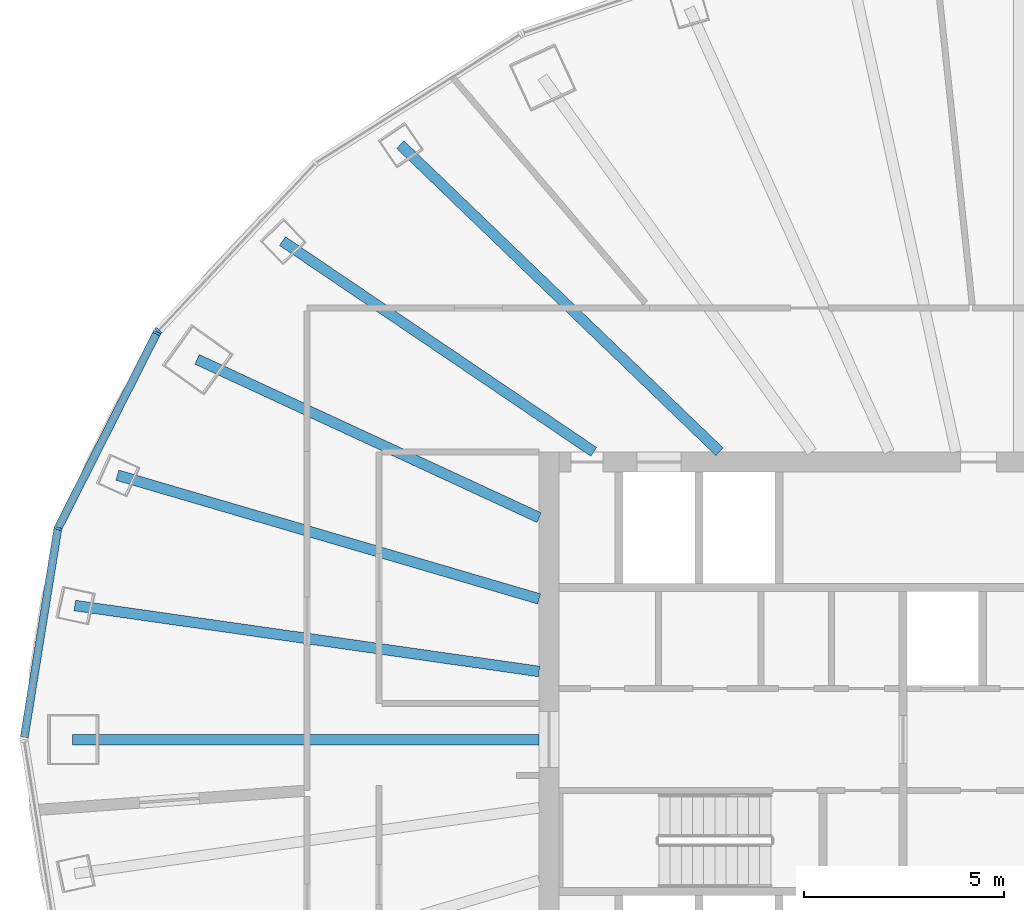
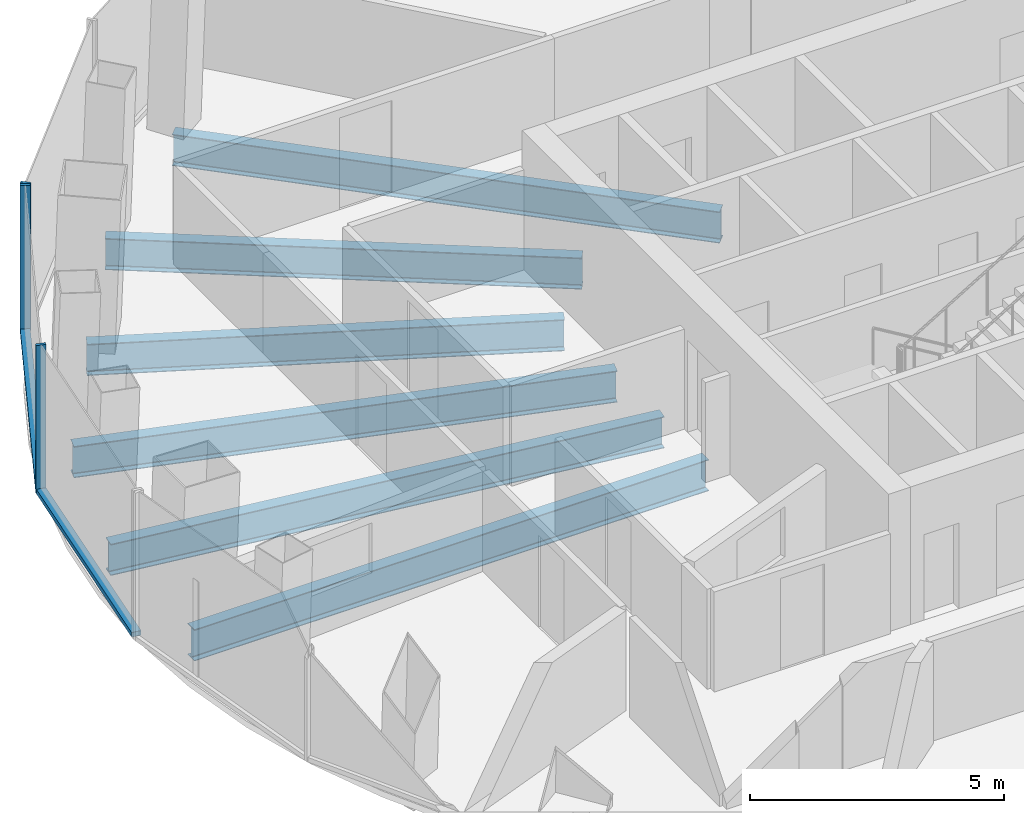
# One storey, part 3 of 12: 6 beams, 5 members, 2 elements without a shape of their own.
"""IFC4 building model written with IfcOpenShell, lengths in metres."""

from ifc_helpers import new_model, si_unit, direction, frame, origin, origin_2d, place, context, subcontext, project, spatial, rectangle, i_section, extrude, material, layer, layer_set, material_profile, profile_set, type_object, element, aggregate, save


model = new_model("IFC4")

# Units and contexts
model_context = context("Model", 3, precision=1e-05, world=origin(), true_north=direction((0.0, 1.0)))
body_context = subcontext(model_context, "Body", "Model", "MODEL_VIEW")
ifc_project = project(units=[si_unit("LENGTHUNIT", "METRE"), si_unit("AREAUNIT", "SQUARE_METRE"), si_unit("VOLUMEUNIT", "CUBIC_METRE"), si_unit("PLANEANGLEUNIT", "RADIAN"), si_unit("MASSUNIT", "GRAM", prefix="KILO")], contexts=[model_context])

# Site, building, storey
site_placement = place(None, origin())
site = spatial("IfcSite", under=ifc_project, at=site_placement, CompositionType="ELEMENT")
building_placement = place(site_placement, origin())
building = spatial("IfcBuilding", under=site, at=building_placement, Name="Siaravel Broadcast Tower", CompositionType="ELEMENT")
storey_placement = place(building_placement, frame((0.0, 0.0, 137.800048828125)))
storey = spatial("IfcBuildingStorey", under=building, at=storey_placement, Name="L33", CompositionType="ELEMENT", Elevation=137.800048828125)

# Beams
ifc_material_1 = material(Name="Steel S355", Category="steel")
ifc_material_profile_1 = material_profile(ifc_material_1, i_section(OverallWidth=0.26513671875, OverallDepth=0.75390625, WebThickness=0.0126953125, FlangeThickness=0.017578125, FilletRadius=0.0166015625, at=origin_2d()))
ifc_profile_set_1 = profile_set([ifc_material_profile_1], Name="Steel S355")
beam_type = type_object("IfcBeamType", Name="BM-UB 762x267x147", PredefinedType="BEAM", material=ifc_profile_set_1)
beam_1_placement = place(storey_placement, frame((-15.470703125, 14.885009765625, -0.52685546875), z_axis=(0.720620137, -0.693330093, 0.0), x_axis=(0.693330093, 0.720620137, 0.0)))
element("IfcBeam", 1, at=beam_1_placement, inside=storey, type_object=beam_type, Name="Radial beam RB14", PredefinedType="BEAM", context=body_context, shape_type="SweptSolid", body=[
    extrude(i_section(OverallWidth=0.26513671875, OverallDepth=0.75390625, WebThickness=0.0126953125, FlangeThickness=0.017578125, FilletRadius=0.0166015625, at=origin_2d()), origin(), (0.0, 0.0, 1.0), 11.084228515625),
])
beam_2_placement = place(storey_placement, frame((-18.418212890625, 12.470947265625, -0.52685546875), z_axis=(0.828033424, -0.56067874, 0.0), x_axis=(0.56067874, 0.828033424, 0.0)))
element("IfcBeam", 2, at=beam_2_placement, inside=storey, type_object=beam_type, Name="Radial beam RB15", PredefinedType="BEAM", context=body_context, shape_type="SweptSolid", body=[
    extrude(i_section(OverallWidth=0.26513671875, OverallDepth=0.75390625, WebThickness=0.0126953125, FlangeThickness=0.017578125, FilletRadius=0.0166015625, at=origin_2d()), origin(), (0.0, 0.0, 1.0), 9.401123046875),
])
beam_3_placement = place(storey_placement, frame((-20.554931640625, 9.51220703125, -0.52685546875), z_axis=(0.907532906, -0.419980982, 0.0), x_axis=(0.419980982, 0.907532906, 0.0)))
element("IfcBeam", 3, at=beam_3_placement, inside=storey, type_object=beam_type, Name="Radial beam RB16", PredefinedType="BEAM", context=body_context, shape_type="SweptSolid", body=[
    extrude(i_section(OverallWidth=0.26513671875, OverallDepth=0.75390625, WebThickness=0.0126953125, FlangeThickness=0.017578125, FilletRadius=0.0166015625, at=origin_2d()), origin(), (0.0, 0.0, 1.0), 9.426513671875),
])
beam_4_placement = place(storey_placement, frame((-22.5478515625, 6.615478515625, -0.52685546875), z_axis=(0.959552024, -0.281531373, 0.0), x_axis=(0.281531373, 0.959552024, 0.0)))
element("IfcBeam", 4, at=beam_4_placement, inside=storey, type_object=beam_type, Name="Radial beam RB17", PredefinedType="BEAM", context=body_context, shape_type="SweptSolid", body=[
    extrude(i_section(OverallWidth=0.26513671875, OverallDepth=0.75390625, WebThickness=0.0126953125, FlangeThickness=0.017578125, FilletRadius=0.0166015625, at=origin_2d()), origin(), (0.0, 0.0, 1.0), 10.992431640625),
])
beam_5_placement = place(storey_placement, frame((-23.614501953125, 3.355224609375, -0.52685546875), z_axis=(0.990057423, -0.140663782, 0.0), x_axis=(0.140663782, 0.990057423, 0.0)))
element("IfcBeam", 5, at=beam_5_placement, inside=storey, type_object=beam_type, Name="Radial beam RB18", PredefinedType="BEAM", context=body_context, shape_type="SweptSolid", body=[
    extrude(i_section(OverallWidth=0.26513671875, OverallDepth=0.75390625, WebThickness=0.0126953125, FlangeThickness=0.017578125, FilletRadius=0.0166015625, at=origin_2d()), origin(), (0.0, 0.0, 1.0), 11.731201171875),
])
beam_6_placement = place(storey_placement, frame((-23.6728515625, 0.0, -0.52685546875), z_axis=(1.0, 0.0, 0.0), x_axis=(0.0, 1.0, 0.0)))
element("IfcBeam", 6, at=beam_6_placement, inside=storey, type_object=beam_type, Name="Radial beam RB19", PredefinedType="BEAM", context=body_context, shape_type="SweptSolid", body=[
    extrude(i_section(OverallWidth=0.26513671875, OverallDepth=0.75390625, WebThickness=0.0126953125, FlangeThickness=0.017578125, FilletRadius=0.0166015625, at=origin_2d()), origin(), (0.0, 0.0, 1.0), 11.6728515625),
])

# Curtain wall, member
ifc_material_2 = material(Name="Aluminium 6063-T6", Category="aluminium")
ifc_layer = layer(ifc_material_2, 0.199951171875)
ifc_layer_set = layer_set([ifc_layer], Name="Aluminium 6063-T6")
curtain_wall_type = type_object("IfcCurtainWallType", Name="Unitised curtain wall, zone 2", PredefinedType="NOTDEFINED", material=ifc_layer_set)
curtain_wall_1_placement = place(storey_placement, origin())
curtain_wall_1 = element("IfcCurtainWall", 7, at=curtain_wall_1_placement, inside=storey, type_object=curtain_wall_type, Name="L33 Unitised curtain wall, zone 2 05", PredefinedType="NOTDEFINED")
ifc_material_profile_2 = material_profile(ifc_material_2, rectangle(XDim=0.199951171875, YDim=0.06494140625, at=origin_2d()))
ifc_profile_set_2 = profile_set([ifc_material_profile_2], Name="Aluminium 6063-T6")
member_type_1 = type_object("IfcMemberType", Name="CW-Z2 mullion", PredefinedType="MULLION", material=ifc_profile_set_2)
member_1_placement = place(storey_placement, frame((-21.528076171875, 10.224609375, 0.0), z_axis=(0.0, 0.0, 1.0), x_axis=(0.729806913, -0.683653326, 0.0)))
member_1 = element("IfcMember", 8, at=member_1_placement, type_object=member_type_1, Name="CW-Z2 mullion 3", PredefinedType="MULLION", context=body_context, shape_type="SweptSolid", body=[
    extrude(rectangle(XDim=0.199951171875, YDim=0.06494140625, at=origin_2d()), origin(), (0.0, 0.0, 1.0), 3.550048828125),
])
aggregate(curtain_wall_1, [member_1])

# Curtain wall, members
curtain_wall_2_placement = place(storey_placement, origin())
curtain_wall_2 = element("IfcCurtainWall", 9, at=curtain_wall_2_placement, inside=storey, type_object=curtain_wall_type, Name="L33 Unitised curtain wall, zone 2 06", PredefinedType="NOTDEFINED")
member_2_placement = place(storey_placement, frame((-21.56494140625, 10.172119140625, 0.0), z_axis=(0.0, 0.0, 1.0), x_axis=(0.892392954, -0.451259145, 0.0)))
member_2 = element("IfcMember", 10, at=member_2_placement, type_object=member_type_1, Name="CW-Z2 mullion 1", PredefinedType="MULLION", context=body_context, shape_type="SweptSolid", body=[
    extrude(rectangle(XDim=0.199951171875, YDim=0.06494140625, at=origin_2d()), origin(), (0.0, 0.0, 1.0), 3.550048828125),
])
member_3_placement = place(storey_placement, frame((-24.0380859375, 5.281005859375, 0.0), z_axis=(0.0, 0.0, 1.0), x_axis=(0.951177626, -0.308644007, 0.0)))
member_3 = element("IfcMember", 11, at=member_3_placement, type_object=member_type_1, Name="CW-Z2 mullion 2", PredefinedType="MULLION", context=body_context, shape_type="SweptSolid", body=[
    extrude(rectangle(XDim=0.199951171875, YDim=0.06494140625, at=origin_2d()), origin(), (0.0, 0.0, 1.0), 3.550048828125),
])
ifc_material_profile_3 = material_profile(ifc_material_2, rectangle(XDim=0.199951171875, YDim=0.110107421875, at=origin_2d()))
ifc_profile_set_3 = profile_set([ifc_material_profile_3], Name="Aluminium 6063-T6")
member_type_2 = type_object("IfcMemberType", Name="CW-Z2 transom", PredefinedType="USERDEFINED", material=ifc_profile_set_3)
member_4_placement = place(storey_placement, frame((-21.57958984375, 10.14306640625, 0.054931640625), z_axis=(-0.45124818, -0.892398498, 0.0), x_axis=(0.892398498, -0.45124818, 0.0)))
member_4 = element("IfcMember", 12, at=member_4_placement, type_object=member_type_2, Name="CW-Z2 transom 1", ObjectType="TRANSOM", PredefinedType="USERDEFINED", context=body_context, shape_type="SweptSolid", body=[
    extrude(rectangle(XDim=0.199951171875, YDim=0.110107421875, at=origin_2d()), origin(), (0.0, 0.0, 1.0), 5.415771484375),
])
member_5_placement = place(storey_placement, frame((-24.043212890625, 5.248779296875, 0.054931640625), z_axis=(-0.158726655, -0.987322566, 0.0), x_axis=(0.987322566, -0.158726655, 0.0)))
member_5 = element("IfcMember", 13, at=member_5_placement, type_object=member_type_2, Name="CW-Z2 transom 2", ObjectType="TRANSOM", PredefinedType="USERDEFINED", context=body_context, shape_type="SweptSolid", body=[
    extrude(rectangle(XDim=0.199951171875, YDim=0.110107421875, at=origin_2d()), origin(), (0.0, 0.0, 1.0), 5.251220703125),
])
aggregate(curtain_wall_2, [member_2, member_3, member_4, member_5])

save(model, "model.ifc")
